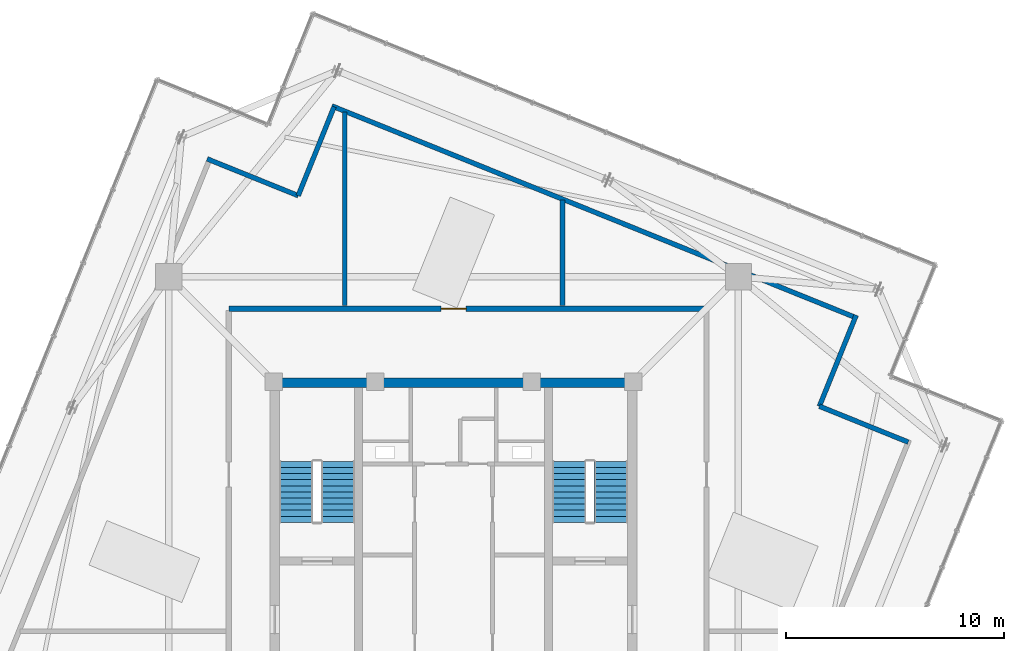
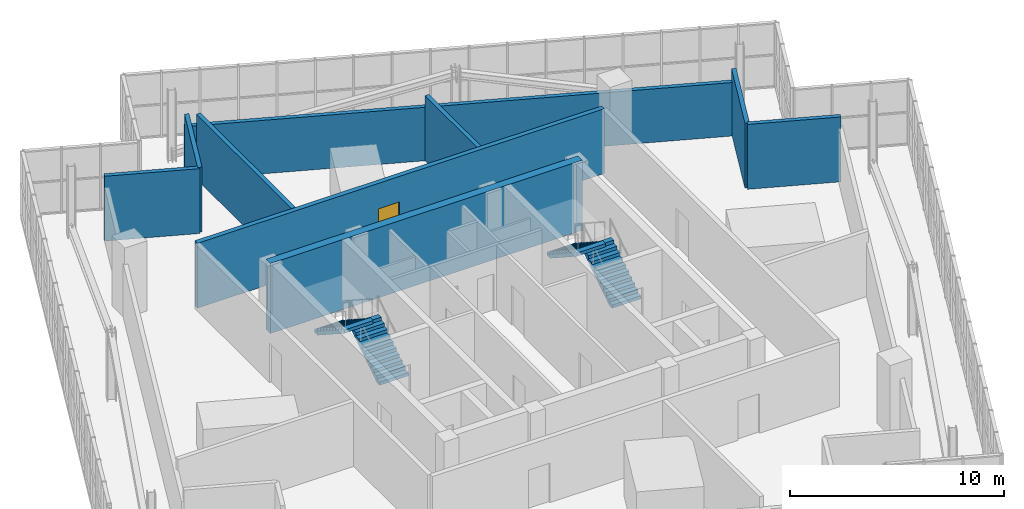
# One storey, part 24 of 26: 9 walls, 4 stair flights, 1 door, 1 opening, 2 elements without a shape of their own.
"""IFC4 building model written with IfcOpenShell, lengths in metres."""

from ifc_helpers import new_model, si_unit, direction, frame, frame_2d, origin, place, context, subcontext, project, spatial, polyline, rectangle, outline, extrude, source, transform, mapped, material, layer, layer_set, type_object, element, fill, aggregate, save


model = new_model("IFC4")

# Units and contexts
model_context = context("Model", 3, precision=1e-05, world=origin(), true_north=direction((0.0, 1.0)))
body_context = subcontext(model_context, "Body", "Model", "MODEL_VIEW")
ifc_project = project(units=[si_unit("LENGTHUNIT", "METRE"), si_unit("AREAUNIT", "SQUARE_METRE"), si_unit("VOLUMEUNIT", "CUBIC_METRE"), si_unit("PLANEANGLEUNIT", "RADIAN"), si_unit("MASSUNIT", "GRAM", prefix="KILO"), si_unit("THERMODYNAMICTEMPERATUREUNIT", "KELVIN")], contexts=[model_context])

# Site, building, storey
site_placement = place(None, origin())
site = spatial("IfcSite", under=ifc_project, at=site_placement, CompositionType="ELEMENT")
building_placement = place(site_placement, origin())
building = spatial("IfcBuilding", under=site, at=building_placement, Name="Kosmvard Interchange Tower", CompositionType="ELEMENT")
storey_placement = place(building_placement, frame((0.0, 0.0, 329.60009765625)))
storey = spatial("IfcBuildingStorey", under=building, at=storey_placement, Name="L81", CompositionType="ELEMENT", Elevation=329.60009765625)

# Wall
ifc_material_1 = material(Name="Concrete C50/60", Category="concrete")
ifc_layer_1 = layer(ifc_material_1, 0.419921875, Name="Concrete C50/60")
ifc_layer_set_1 = layer_set([ifc_layer_1], Name="Concrete C50/60")
wall_type_1 = type_object("IfcWallType", Name="Crown Core Shear Wall 420 C50/60", PredefinedType="SHEAR", material=ifc_layer_set_1)
wall_1_placement = place(storey_placement, frame((-8.419921875, 8.2099609375, 0.0), z_axis=(0.0, 0.0, 1.0), x_axis=(1.0, 0.0, 0.0)))
element("IfcWall", 1, at=wall_1_placement, inside=storey, type_object=wall_type_1, Name="L81 Core Shear Wall CW-N", PredefinedType="SHEAR", context=body_context, shape_type="SweptSolid", body=[
    extrude(rectangle(XDim=16.83984375, YDim=0.419921875, at=frame_2d((8.419921875, 0.0))), origin(), (0.0, 0.0, 1.0), 4.0),
])

# Wall, opening, door
ifc_material_2 = material(Name="Concrete blockwork masonry", Category="masonry")
ifc_layer_2 = layer(ifc_material_2, 0.25, Name="Concrete blockwork masonry")
ifc_layer_set_2 = layer_set([ifc_layer_2], Name="Concrete blockwork masonry")
wall_type_2 = type_object("IfcWallType", Name="Exit Passage & Firefighting Lobby Wall 250", PredefinedType="PARTITIONING", material=ifc_layer_set_2)
wall_2_placement = place(storey_placement, frame((-10.320068359375, 11.6201171875, 0.0), z_axis=(0.0, 0.0, 1.0), x_axis=(1.0, 0.0, 0.0)))
wall_2 = element("IfcWall", 2, at=wall_2_placement, inside=storey, type_object=wall_type_2, Name="L81 Corridor Wall CN", PredefinedType="PARTITIONING", context=body_context, shape_type="SweptSolid", body=[
    extrude(rectangle(XDim=21.940185546875, YDim=0.25, at=frame_2d((10.97021484375, 0.0))), origin(), (0.0, 0.0, 1.0), 3.699951171875),
])
opening_placement = place(wall_2_placement, frame((9.7451171875, 0.0, 0.0)))
opening = element("IfcOpeningElement", 3, at=opening_placement, cuts=wall_2, Name="Opening L81-D01", PredefinedType="OPENING", context=body_context, shape_type="SweptSolid", body=[
    extrude(rectangle(XDim=1.14990234375, YDim=2.25, at=frame_2d((0.574951171875, 1.125))), frame((0.0, 0.135009765625, 0.0), z_axis=(0.0, -1.0, 0.0), x_axis=(1.0, 0.0, 0.0)), (0.0, 0.0, 1.0), 0.27001953125),
])
ifc_material_3 = material(Name="Painted fire-rated steel leaf", Category="steel")
door_type = type_object("IfcDoorType", Name="Plant & Riser Fire Door 1150x2250 EI60", OperationType="NOTDEFINED", PredefinedType="DOOR", material=ifc_material_3)
shared_shape_1 = source(origin(), body_context, "Body", "SweptSolid", [
    extrude(rectangle(XDim=1.14990234375, YDim=2.25, at=frame_2d((0.574951171875, 1.125))), frame((0.0, 0.02490234375, 0.0), z_axis=(0.0, -1.0, 0.0), x_axis=(1.0, 0.0, 0.0)), (0.0, 0.0, 1.0), 0.050048828125),
])
door_placement = place(opening_placement, origin())
door = element("IfcDoor", 4, at=door_placement, inside=storey, type_object=door_type, Name="L81 North Cooling Tower Plant Room Door", OperationType="SINGLE_SWING_LEFT", OverallHeight=2.25, OverallWidth=1.14990234375, PredefinedType="DOOR", context=body_context, shape_type="MappedRepresentation", body=[
    mapped(shared_shape_1, transform((0.0, 0.0, 0.0), scale=1.0)),
])
fill(opening, door)

# Walls
ifc_layer_3 = layer(ifc_material_2, 0.219970703125, Name="Concrete blockwork masonry")
ifc_layer_set_3 = layer_set([ifc_layer_3], Name="Concrete blockwork masonry")
wall_type_3 = type_object("IfcWallType", Name="Riser & Plant Enclosure Wall 220", PredefinedType="PARTITIONING", material=ifc_layer_set_3)
wall_3_placement = place(storey_placement, frame((20.8857421875, 5.485595703125, 0.0), z_axis=(0.0, 0.0, 1.0), x_axis=(-0.927189216671, 0.374593321469, 0.0)))
element("IfcWall", 5, at=wall_3_placement, inside=storey, type_object=wall_type_3, Name="L81 Crown Plant Enclosure Wall SE1", PredefinedType="PARTITIONING", context=body_context, shape_type="SweptSolid", body=[
    extrude(rectangle(XDim=4.39990234375, YDim=0.219970703125, at=frame_2d((2.199951171875, 0.0))), origin(), (0.0, 0.0, 1.0), 3.699951171875),
])
wall_4_placement = place(storey_placement, frame((16.80615234375, 7.1337890625, 0.0), z_axis=(0.0, 0.0, 1.0), x_axis=(0.374599091925, 0.927186885331, 0.0)))
element("IfcWall", 6, at=wall_4_placement, inside=storey, type_object=wall_type_3, Name="L81 Crown Plant Enclosure Wall SE2", PredefinedType="PARTITIONING", context=body_context, shape_type="SweptSolid", body=[
    extrude(rectangle(XDim=4.510009765625, YDim=0.219970703125, at=frame_2d((2.2548828125, 0.0))), origin(), (0.0, 0.0, 1.0), 3.699951171875),
])
wall_5_placement = place(storey_placement, frame((18.556396484375, 11.172119140625, 0.0), z_axis=(0.0, 0.0, 1.0), x_axis=(-0.927181788521, 0.374611707018, 0.0)))
element("IfcWall", 7, at=wall_5_placement, inside=storey, type_object=wall_type_3, Name="L81 Crown Plant Enclosure Wall E", PredefinedType="PARTITIONING", context=body_context, shape_type="SweptSolid", body=[
    extrude(rectangle(XDim=26.0400390625, YDim=0.219970703125, at=frame_2d((13.02001953125, 0.0))), origin(), (0.0, 0.0, 1.0), 3.0498046875),
])
wall_6_placement = place(storey_placement, frame((-5.485595703125, 20.8857421875, 0.0), z_axis=(0.0, 0.0, 1.0), x_axis=(-0.374593321469, -0.927189216671, 0.0)))
element("IfcWall", 8, at=wall_6_placement, inside=storey, type_object=wall_type_3, Name="L81 Crown Plant Enclosure Wall NE1", PredefinedType="PARTITIONING", context=body_context, shape_type="SweptSolid", body=[
    extrude(rectangle(XDim=4.39990234375, YDim=0.219970703125, at=frame_2d((2.199951171875, 0.0))), origin(), (0.0, 0.0, 1.0), 3.699951171875),
])
wall_7_placement = place(storey_placement, frame((-7.1337890625, 16.80615234375, 0.0), z_axis=(0.0, 0.0, 1.0), x_axis=(-0.927186885331, 0.374599091925, 0.0)))
element("IfcWall", 9, at=wall_7_placement, inside=storey, type_object=wall_type_3, Name="L81 Crown Plant Enclosure Wall NE2", PredefinedType="PARTITIONING", context=body_context, shape_type="SweptSolid", body=[
    extrude(rectangle(XDim=4.510009765625, YDim=0.219970703125, at=frame_2d((2.2548828125, 0.0))), origin(), (0.0, 0.0, 1.0), 3.699951171875),
])
wall_8_placement = place(storey_placement, frame((-5.0, 11.75, 0.0), z_axis=(0.0, 0.0, 1.0), x_axis=(0.0, 1.0, 0.0)))
element("IfcWall", 10, at=wall_8_placement, inside=storey, type_object=wall_type_3, Name="L81 Room Partition 01.1", PredefinedType="PARTITIONING", context=body_context, shape_type="SweptSolid", body=[
    extrude(rectangle(XDim=8.89111328125, YDim=0.219970703125, at=frame_2d((4.445556640625, 0.0))), origin(), (0.0, 0.0, 1.0), 3.699951171875),
])
wall_9_placement = place(storey_placement, frame((5.0, 11.75, 0.0), z_axis=(0.0, 0.0, 1.0), x_axis=(0.0, 1.0, 0.0)))
element("IfcWall", 11, at=wall_9_placement, inside=storey, type_object=wall_type_3, Name="L81 Room Partition 02.1", PredefinedType="PARTITIONING", context=body_context, shape_type="SweptSolid", body=[
    extrude(rectangle(XDim=4.850830078125, YDim=0.219970703125, at=frame_2d((2.42529296875, 0.0))), origin(), (0.0, 0.0, 1.0), 3.699951171875),
])

# Stair, stair flights
stair_type = type_object("IfcStairType", Name="Dog-Leg Core Exit Stair H4000 C50/60", PredefinedType="HALF_TURN_STAIR", material=ifc_material_1)
stair_1_placement = place(storey_placement, origin())
stair_1 = element("IfcStair", 12, at=stair_1_placement, inside=storey, type_object=stair_type, Name="L81 Protected Exit Stair ST-1", PredefinedType="HALF_TURN_STAIR")
stair_flight_type = type_object("IfcStairFlightType", Name="Core Stair Flight W1550 H4000 C50/60", PredefinedType="STRAIGHT", material=ifc_material_1)
shared_shape_2 = source(origin(), body_context, "Body", "SweptSolid", [
    extrude(outline(polyline([(0.0, 0.0), (0.0, 0.181884765625), (0.280029296875, 0.181884765625), (0.280029296875, 0.363525390625), (0.56005859375, 0.363525390625), (0.56005859375, 0.54541015625), (0.840087890625, 0.54541015625), (0.840087890625, 0.727294921875), (1.1201171875, 0.727294921875), (1.1201171875, 0.9091796875), (1.39990234375, 0.9091796875), (1.39990234375, 1.0908203125), (1.679931640625, 1.0908203125), (1.679931640625, 1.272705078125), (1.9599609375, 1.272705078125), (1.9599609375, 1.45458984375), (2.239990234375, 1.45458984375), (2.239990234375, 1.636474609375), (2.52001953125, 1.636474609375), (2.52001953125, 1.818115234375), (2.800048828125, 1.818115234375), (2.800048828125, 2.0), (2.800048828125, 1.62744140625), (0.293701171875, 0.0), (0.0, 0.0)])), frame((0.0, 0.77490234375, 0.0), z_axis=(0.0, -1.0, 0.0), x_axis=(1.0, 0.0, 0.0)), (0.0, 0.0, 1.0), 1.550048828125),
])
stair_flight_1_placement = place(storey_placement, frame((-5.31494140625, 1.800048828125, 0.0), z_axis=(0.0, 0.0, 1.0), x_axis=(0.0, 1.0, 0.0)))
stair_flight_1 = element("IfcStairFlight", 13, at=stair_flight_1_placement, type_object=stair_flight_type, Name="ST-1 flight 1", NumberOfRisers=11, NumberOfTreads=10, PredefinedType="STRAIGHT", RiserHeight=0.181818182, TreadLength=0.28, context=body_context, shape_type="MappedRepresentation", body=[
    mapped(shared_shape_2, transform((0.0, 0.0, 0.0), scale=1.0)),
])
stair_flight_2_placement = place(storey_placement, frame((-7.22509765625, 4.60009765625, 2.0), z_axis=(0.0, 0.0, 1.0), x_axis=(0.0, -1.0, 0.0)))
stair_flight_2 = element("IfcStairFlight", 14, at=stair_flight_2_placement, type_object=stair_flight_type, Name="ST-1 flight 2", NumberOfRisers=11, NumberOfTreads=10, PredefinedType="STRAIGHT", RiserHeight=0.181818182, TreadLength=0.28, context=body_context, shape_type="MappedRepresentation", body=[
    mapped(shared_shape_2, transform((0.0, 0.0, 0.0), scale=1.0)),
])
aggregate(stair_1, [stair_flight_1, stair_flight_2])

stair_2_placement = place(storey_placement, origin())
stair_2 = element("IfcStair", 15, at=stair_2_placement, inside=storey, type_object=stair_type, Name="L81 Protected Exit Stair ST-2", PredefinedType="HALF_TURN_STAIR")
stair_flight_3_placement = place(storey_placement, frame((7.22509765625, 1.800048828125, 0.0), z_axis=(0.0, 0.0, 1.0), x_axis=(0.0, 1.0, 0.0)))
stair_flight_3 = element("IfcStairFlight", 16, at=stair_flight_3_placement, type_object=stair_flight_type, Name="ST-2 flight 1", NumberOfRisers=11, NumberOfTreads=10, PredefinedType="STRAIGHT", RiserHeight=0.181818182, TreadLength=0.28, context=body_context, shape_type="MappedRepresentation", body=[
    mapped(shared_shape_2, transform((0.0, 0.0, 0.0), scale=1.0)),
])
stair_flight_4_placement = place(storey_placement, frame((5.31494140625, 4.60009765625, 2.0), z_axis=(0.0, 0.0, 1.0), x_axis=(0.0, -1.0, 0.0)))
stair_flight_4 = element("IfcStairFlight", 17, at=stair_flight_4_placement, type_object=stair_flight_type, Name="ST-2 flight 2", NumberOfRisers=11, NumberOfTreads=10, PredefinedType="STRAIGHT", RiserHeight=0.181818182, TreadLength=0.28, context=body_context, shape_type="MappedRepresentation", body=[
    mapped(shared_shape_2, transform((0.0, 0.0, 0.0), scale=1.0)),
])
aggregate(stair_2, [stair_flight_3, stair_flight_4])

save(model, "model.ifc")
